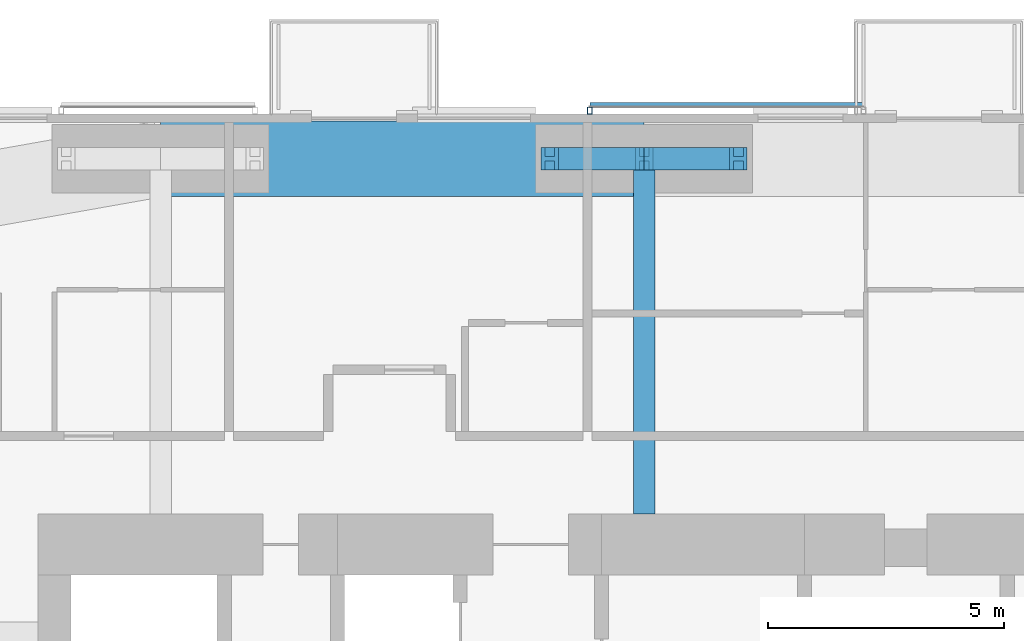
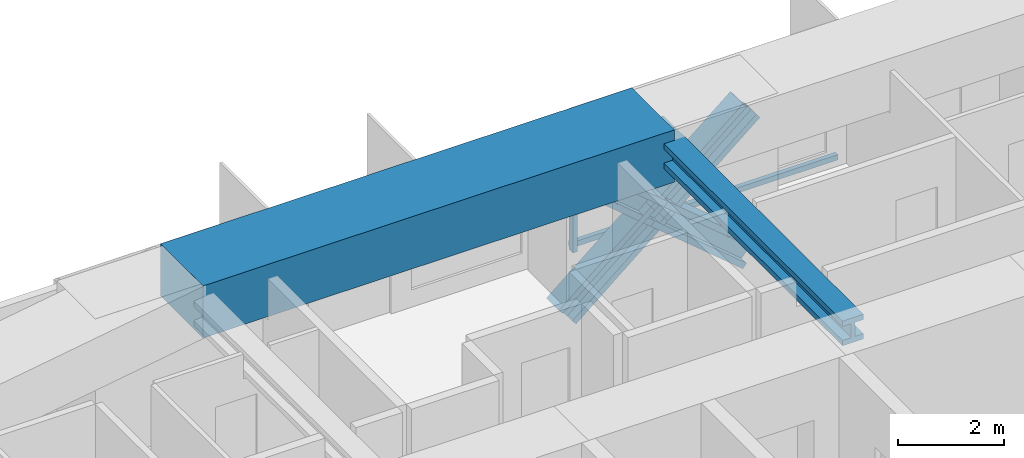
# One storey, part 11 of 23: 6 members, 2 beams, 1 element without a shape of its own.
"""IFC4 building model written with IfcOpenShell, lengths in metres."""

from ifc_helpers import new_model, si_unit, direction, frame, origin, origin_2d, place, context, subcontext, project, spatial, rectangle, hollow_rectangle, i_section, extrude, material, material_profile, profile_set, type_object, element, aggregate, save


model = new_model("IFC4")

# Units and contexts
model_context = context("Model", 3, precision=1e-05, world=origin(), true_north=direction((0.0, 1.0)))
body_context = subcontext(model_context, "Body", "Model", "MODEL_VIEW")
ifc_project = project(units=[si_unit("LENGTHUNIT", "METRE"), si_unit("AREAUNIT", "SQUARE_METRE"), si_unit("VOLUMEUNIT", "CUBIC_METRE"), si_unit("PLANEANGLEUNIT", "RADIAN"), si_unit("MASSUNIT", "GRAM", prefix="KILO")], contexts=[model_context])

# Site, building, storey
site_placement = place(None, origin())
site = spatial("IfcSite", under=ifc_project, at=site_placement, CompositionType="ELEMENT")
building_placement = place(site_placement, origin())
building = spatial("IfcBuilding", under=site, at=building_placement, Name="Jalousie Tower", CompositionType="ELEMENT")
storey_placement = place(building_placement, frame((0.0, 0.0, 167.75)))
storey = spatial("IfcBuildingStorey", under=building, at=storey_placement, Name="L45", CompositionType="ELEMENT", Elevation=167.75)

# Beam
ifc_material_1 = material(Name="Steel ASTM A992 Grade 50", Category="steel")
ifc_material_profile_1 = material_profile(ifc_material_1, i_section(OverallWidth=0.45458984375, OverallDepth=0.569091796875, WebThickness=0.077880859375, FlangeThickness=0.124755859375, at=origin_2d()), Name="W14X730")
ifc_profile_set_1 = profile_set([ifc_material_profile_1], Name="Steel ASTM A992 Grade 50")
beam_type_1 = type_object("IfcBeamType", Name="LEAN COLLECTOR W14X730", PredefinedType="BEAM", material=ifc_profile_set_1)
beam_1_placement = place(storey_placement, frame((32.5, 35.050048828125, 2.825439453125), z_axis=(0.0, -1.0, 0.0), x_axis=(1.0, 0.0, 0.0)))
element("IfcBeam", 1, at=beam_1_placement, inside=storey, type_object=beam_type_1, Name="Lean collector under L46", PredefinedType="BEAM", context=body_context, shape_type="SweptSolid", body=[
    extrude(i_section(OverallWidth=0.45458984375, OverallDepth=0.569091796875, WebThickness=0.077880859375, FlangeThickness=0.124755859375, at=origin_2d()), origin(), (0.0, 0.0, 1.0), 7.525146484375),
])

# Members
ifc_material_2 = material(Name="Steel ASTM A992 Grade 50", Category="steel")
ifc_material_profile_2 = material_profile(ifc_material_2, i_section(OverallWidth=0.472412109375, OverallDepth=0.5791015625, WebThickness=0.094970703125, FlangeThickness=0.1298828125, at=origin_2d()), Name="W14X808")
ifc_profile_set_2 = profile_set([ifc_material_profile_2], Name="Steel ASTM A992 Grade 50")
member_type_1 = type_object("IfcMemberType", Name="PERIMETER BRACE W14X808", PredefinedType="BRACE", material=ifc_profile_set_2)
for number, where, z_axis, x_axis, name in (
    (2, (30.5, 35.050048828125, -0.60009765625), (0.766638753323, 0.0, 0.642078672674), (0.0, 1.0, 0.0), "Perimeter brace 10 L45 part 1"),
    (3, (32.5, 35.050048828125, 1.074951171875), (0.766638753323, 0.0, 0.642078672674), (0.0, 1.0, 0.0), "Perimeter brace 10 L45 part 2"),
    (4, (34.5, 35.050048828125, -0.60009765625), (-0.766638753323, 0.0, 0.642078672674), (0.0, -1.0, 0.0), "Perimeter brace 10 L45 part 3"),
    (5, (32.5, 35.050048828125, 1.074951171875), (-0.766638753323, 0.0, 0.642078672674), (0.0, -1.0, 0.0), "Perimeter brace 10 L45 part 4"),
):
    element("IfcMember", number, at=place(storey_placement, frame(where, z_axis=z_axis, x_axis=x_axis)), inside=storey, type_object=member_type_1, Name=name, PredefinedType="BRACE", context=body_context, shape_type="SweptSolid", body=[
        extrude(i_section(OverallWidth=0.472412109375, OverallDepth=0.5791015625, WebThickness=0.094970703125, FlangeThickness=0.1298828125, at=origin_2d()), origin(), (0.0, 0.0, 1.0), 2.60888671875),
    ])

# Beam
ifc_material_3 = material(Name="Concrete f'c 40 MPa", Category="concrete")
ifc_material_profile_3 = material_profile(ifc_material_3, rectangle(XDim=1.60009765625, YDim=1.199951171875, at=origin_2d()), Name="RC 1600x1200")
ifc_profile_set_3 = profile_set([ifc_material_profile_3], Name="Concrete f'c 40 MPa")
beam_type_2 = type_object("IfcBeamType", Name="RC BEAM 1600x1200", PredefinedType="BEAM", material=ifc_profile_set_3)
beam_2_placement = place(storey_placement, frame((32.5, 35.050048828125, 2.75), z_axis=(-1.0, 0.0, 0.0), x_axis=(0.0, -1.0, 0.0)))
element("IfcBeam", 6, at=beam_2_placement, inside=storey, type_object=beam_type_2, Name="Edge band beam 10-11 under L46", PredefinedType="BEAM", context=body_context, shape_type="SweptSolid", body=[
    extrude(rectangle(XDim=1.60009765625, YDim=1.199951171875, at=origin_2d()), origin(), (0.0, 0.0, 1.0), 10.25),
])

# Curtain wall, members
ifc_material_4 = material(Name="Perforated aluminium sheet", Category="aluminium")
curtain_wall_type = type_object("IfcCurtainWallType", Name="SOLAR SCREEN SS-1", PredefinedType="USERDEFINED", material=ifc_material_4)
curtain_wall_placement = place(storey_placement, origin())
curtain_wall = element("IfcCurtainWall", 7, at=curtain_wall_placement, inside=storey, type_object=curtain_wall_type, Name="Solar screen L45", ObjectType="SOLAR SCREEN SS-1", PredefinedType="USERDEFINED")
ifc_material_5 = material(Name="Steel ASTM A500 Grade C", Category="steel")
ifc_material_profile_4 = material_profile(ifc_material_5, hollow_rectangle(XDim=0.1015625, YDim=0.15234375, WallThickness=0.00634765625, at=origin_2d()), Name="HSS6X4X1/4")
ifc_profile_set_4 = profile_set([ifc_material_profile_4], Name="Steel ASTM A500 Grade C")
member_type_2 = type_object("IfcMemberType", Name="SOLAR SCREEN SS-1 MULLION", PredefinedType="MULLION", material=ifc_profile_set_4)
member_1_placement = place(storey_placement, frame((31.35009765625, 36.0712890625, -0.1201171875), z_axis=(0.0, 0.0, 1.0), x_axis=(-1.0, 0.0, 0.0)))
member_1 = element("IfcMember", 8, at=member_1_placement, type_object=member_type_2, Name="SS1 post 2", PredefinedType="MULLION", context=body_context, shape_type="SweptSolid", body=[
    extrude(hollow_rectangle(XDim=0.1015625, YDim=0.15234375, WallThickness=0.00634765625, at=origin_2d()), origin(), (0.0, 0.0, 1.0), 3.230224609375),
])
ifc_material_6 = material(Name="Extruded aluminium screen rail", Category="aluminium")
ifc_material_profile_5 = material_profile(ifc_material_6, rectangle(XDim=0.1015625, YDim=0.1201171875, at=origin_2d()), Name="RAIL 102x120")
ifc_profile_set_5 = profile_set([ifc_material_profile_5], Name="Extruded aluminium screen rail")
member_type_3 = type_object("IfcMemberType", Name="SOLAR SCREEN SS-1 TRANSOM", PredefinedType="USERDEFINED", material=ifc_profile_set_5)
member_2_placement = place(storey_placement, frame((37.14990234375, 36.1982421875, -0.06005859375), z_axis=(-1.0, 0.0, 0.0), x_axis=(0.0, -1.0, 0.0)))
member_2 = element("IfcMember", 9, at=member_2_placement, type_object=member_type_3, Name="SS1 rail", ObjectType="TRANSOM", PredefinedType="USERDEFINED", context=body_context, shape_type="SweptSolid", body=[
    extrude(rectangle(XDim=0.1015625, YDim=0.1201171875, at=origin_2d()), origin(), (0.0, 0.0, 1.0), 5.7998046875),
])
aggregate(curtain_wall, [member_1, member_2])

save(model, "model.ifc")
